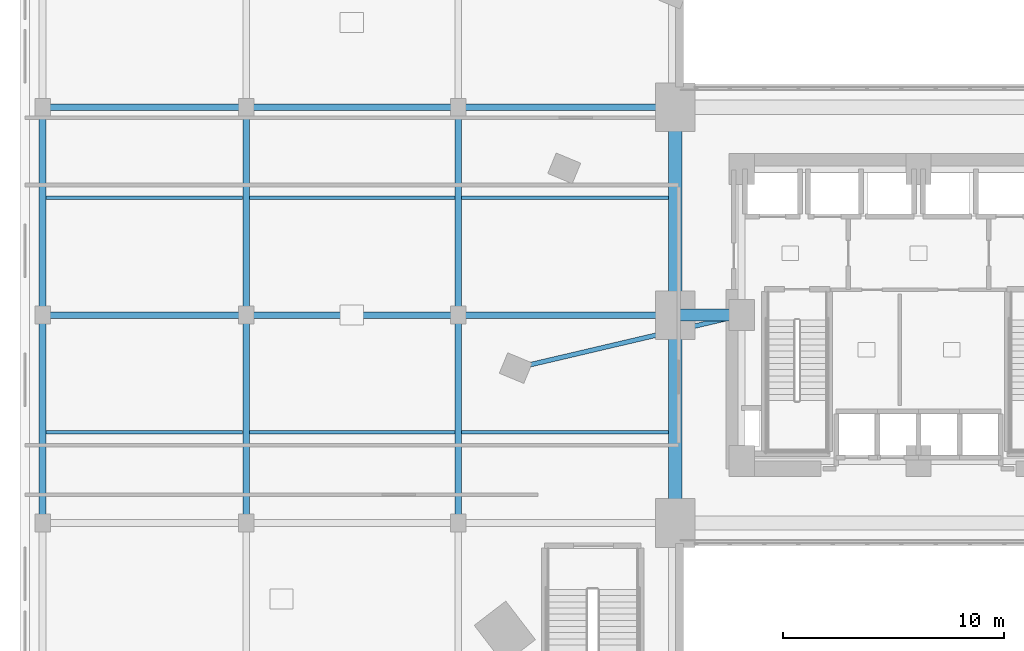
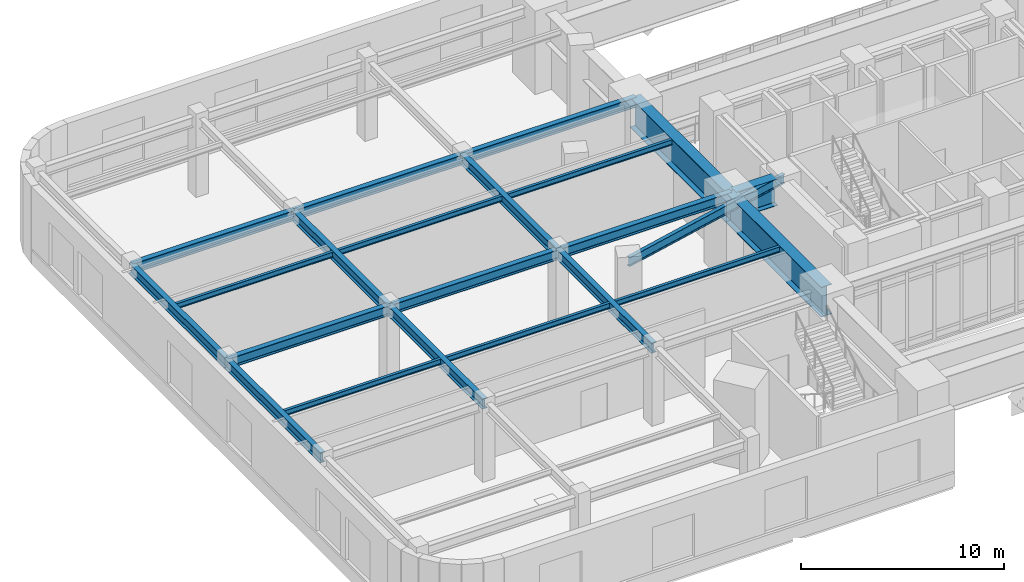
# One storey, part 3 of 25: 22 beams.
"""IFC4 building model written with IfcOpenShell, lengths in metres."""

from ifc_helpers import new_model, si_unit, direction, frame, origin, origin_2d, place, context, subcontext, project, spatial, i_section, extrude, material, material_profile, profile_set, type_object, element, save


model = new_model("IFC4")

# Units and contexts
model_context = context("Model", 3, precision=1e-05, world=origin(), true_north=direction((0.0, 1.0)))
body_context = subcontext(model_context, "Body", "Model", "MODEL_VIEW")
ifc_project = project(units=[si_unit("LENGTHUNIT", "METRE"), si_unit("AREAUNIT", "SQUARE_METRE"), si_unit("VOLUMEUNIT", "CUBIC_METRE"), si_unit("PLANEANGLEUNIT", "RADIAN"), si_unit("MASSUNIT", "GRAM", prefix="KILO")], contexts=[model_context])

# Site, building, storey
site_placement = place(None, origin())
site = spatial("IfcSite", under=ifc_project, at=site_placement, CompositionType="ELEMENT")
building_placement = place(site_placement, origin())
building = spatial("IfcBuilding", under=site, at=building_placement, Name="Ndelora Gate Hotel", CompositionType="ELEMENT")
storey_placement = place(building_placement, frame((0.0, 0.0, 11.0)))
storey = spatial("IfcBuildingStorey", under=building, at=storey_placement, Name="L02", CompositionType="ELEMENT", Elevation=11.0)

# Beams
ifc_material_1 = material(Name="Steel S355", Category="steel")
ifc_material_profile_1 = material_profile(ifc_material_1, i_section(OverallWidth=0.159912109375, OverallDepth=0.330078125, WebThickness=0.007568359375, FlangeThickness=0.011474609375, FilletRadius=0.01806640625, at=origin_2d()), Name="IPE 330")
ifc_profile_set_1 = profile_set([ifc_material_profile_1], Name="Steel S355")
beam_type_1 = type_object("IfcBeamType", Name="BM-JST-330", PredefinedType="JOIST", material=ifc_profile_set_1)
beam_1_placement = place(storey_placement, frame((-39.449951171875, -5.300048828125, 4.4951171875), z_axis=(1.0, 0.0, 0.0), x_axis=(0.0, 1.0, 0.0)))
element("IfcBeam", 1, at=beam_1_placement, inside=storey, type_object=beam_type_1, Name="L02 Podium Composite Secondary Joist 1", PredefinedType="JOIST", context=body_context, shape_type="SweptSolid", body=[
    extrude(i_section(OverallWidth=0.159912109375, OverallDepth=0.330078125, WebThickness=0.007568359375, FlangeThickness=0.011474609375, FilletRadius=0.01806640625, at=origin_2d()), origin(), (0.0, 0.0, 1.0), 8.89990234375),
])
beam_2_placement = place(storey_placement, frame((-30.25, -5.300048828125, 4.4951171875), z_axis=(1.0, 0.0, 0.0), x_axis=(0.0, 1.0, 0.0)))
element("IfcBeam", 2, at=beam_2_placement, inside=storey, type_object=beam_type_1, Name="L02 Podium Composite Secondary Joist 2", PredefinedType="JOIST", context=body_context, shape_type="SweptSolid", body=[
    extrude(i_section(OverallWidth=0.159912109375, OverallDepth=0.330078125, WebThickness=0.007568359375, FlangeThickness=0.011474609375, FilletRadius=0.01806640625, at=origin_2d()), origin(), (0.0, 0.0, 1.0), 9.300048828125),
])
beam_3_placement = place(storey_placement, frame((-20.64990234375, -5.300048828125, 4.4951171875), z_axis=(1.0, 0.0, 0.0), x_axis=(0.0, 1.0, 0.0)))
element("IfcBeam", 3, at=beam_3_placement, inside=storey, type_object=beam_type_1, Name="L02 Podium Composite Secondary Joist 3", PredefinedType="JOIST", context=body_context, shape_type="SweptSolid", body=[
    extrude(i_section(OverallWidth=0.159912109375, OverallDepth=0.330078125, WebThickness=0.007568359375, FlangeThickness=0.011474609375, FilletRadius=0.01806640625, at=origin_2d()), origin(), (0.0, 0.0, 1.0), 9.349853515625),
])
beam_4_placement = place(storey_placement, frame((-39.449951171875, 5.300048828125, 4.4951171875), z_axis=(1.0, 0.0, 0.0), x_axis=(0.0, 1.0, 0.0)))
element("IfcBeam", 4, at=beam_4_placement, inside=storey, type_object=beam_type_1, Name="L02 Podium Composite Secondary Joist 1", PredefinedType="JOIST", context=body_context, shape_type="SweptSolid", body=[
    extrude(i_section(OverallWidth=0.159912109375, OverallDepth=0.330078125, WebThickness=0.007568359375, FlangeThickness=0.011474609375, FilletRadius=0.01806640625, at=origin_2d()), origin(), (0.0, 0.0, 1.0), 8.89990234375),
])
beam_5_placement = place(storey_placement, frame((-30.25, 5.300048828125, 4.4951171875), z_axis=(1.0, 0.0, 0.0), x_axis=(0.0, 1.0, 0.0)))
element("IfcBeam", 5, at=beam_5_placement, inside=storey, type_object=beam_type_1, Name="L02 Podium Composite Secondary Joist 2", PredefinedType="JOIST", context=body_context, shape_type="SweptSolid", body=[
    extrude(i_section(OverallWidth=0.159912109375, OverallDepth=0.330078125, WebThickness=0.007568359375, FlangeThickness=0.011474609375, FilletRadius=0.01806640625, at=origin_2d()), origin(), (0.0, 0.0, 1.0), 9.300048828125),
])
beam_6_placement = place(storey_placement, frame((-20.64990234375, 5.300048828125, 4.4951171875), z_axis=(1.0, 0.0, 0.0), x_axis=(0.0, 1.0, 0.0)))
element("IfcBeam", 6, at=beam_6_placement, inside=storey, type_object=beam_type_1, Name="L02 Podium Composite Secondary Joist 3", PredefinedType="JOIST", context=body_context, shape_type="SweptSolid", body=[
    extrude(i_section(OverallWidth=0.159912109375, OverallDepth=0.330078125, WebThickness=0.007568359375, FlangeThickness=0.011474609375, FilletRadius=0.01806640625, at=origin_2d()), origin(), (0.0, 0.0, 1.0), 9.349853515625),
])
ifc_material_profile_2 = material_profile(ifc_material_1, i_section(OverallWidth=0.300048828125, OverallDepth=0.60009765625, WebThickness=0.015380859375, FlangeThickness=0.030029296875, FilletRadius=0.027099609375, at=origin_2d()), Name="HEB 600")
ifc_profile_set_2 = profile_set([ifc_material_profile_2], Name="Steel S355")
beam_type_2 = type_object("IfcBeamType", Name="BM-POD-600", PredefinedType="BEAM", material=ifc_profile_set_2)
for number, where, z_axis, x_axis, name in (
    (7, (-39.60009765625, -9.39990234375, 4.360107421875), (0.0, 1.0, 0.0), (-1.0, 0.0, 0.0), "L02 Podium Longitudinal Girder X=-39.6"),
    (8, (-39.60009765625, 0.0, 4.360107421875), (0.0, 1.0, 0.0), (-1.0, 0.0, 0.0), "L02 Podium Longitudinal Girder X=-39.6"),
    (9, (-30.39990234375, -9.39990234375, 4.360107421875), (0.0, 1.0, 0.0), (-1.0, 0.0, 0.0), "L02 Podium Longitudinal Girder X=-30.4"),
    (10, (-30.39990234375, 0.0, 4.360107421875), (0.0, 1.0, 0.0), (-1.0, 0.0, 0.0), "L02 Podium Longitudinal Girder X=-30.4"),
    (11, (-20.800048828125, -9.39990234375, 4.360107421875), (0.0, 1.0, 0.0), (-1.0, 0.0, 0.0), "L02 Podium Longitudinal Girder X=-20.8"),
    (12, (-20.800048828125, 0.0, 4.360107421875), (0.0, 1.0, 0.0), (-1.0, 0.0, 0.0), "L02 Podium Longitudinal Girder X=-20.8"),
):
    element("IfcBeam", number, at=place(storey_placement, frame(where, z_axis=z_axis, x_axis=x_axis)), inside=storey, type_object=beam_type_2, Name=name, PredefinedType="BEAM", context=body_context, shape_type="SweptSolid", body=[
        extrude(i_section(OverallWidth=0.300048828125, OverallDepth=0.60009765625, WebThickness=0.015380859375, FlangeThickness=0.030029296875, FilletRadius=0.027099609375, at=origin_2d()), origin(), (0.0, 0.0, 1.0), 9.39990234375),
    ])
beam_7_placement = place(storey_placement, frame((-39.60009765625, 0.0, 4.360107421875), z_axis=(1.0, 0.0, 0.0), x_axis=(0.0, 1.0, 0.0)))
element("IfcBeam", 13, at=beam_7_placement, inside=storey, type_object=beam_type_2, Name="L02 Podium Transverse Girder Y=+0.0", PredefinedType="BEAM", context=body_context, shape_type="SweptSolid", body=[
    extrude(i_section(OverallWidth=0.300048828125, OverallDepth=0.60009765625, WebThickness=0.015380859375, FlangeThickness=0.030029296875, FilletRadius=0.027099609375, at=origin_2d()), origin(), (0.0, 0.0, 1.0), 9.2001953125),
])
beam_8_placement = place(storey_placement, frame((-30.39990234375, 0.0, 4.360107421875), z_axis=(1.0, 0.0, 0.0), x_axis=(0.0, 1.0, 0.0)))
element("IfcBeam", 14, at=beam_8_placement, inside=storey, type_object=beam_type_2, Name="L02 Podium Transverse Girder Y=+0.0", PredefinedType="BEAM", context=body_context, shape_type="SweptSolid", body=[
    extrude(i_section(OverallWidth=0.300048828125, OverallDepth=0.60009765625, WebThickness=0.015380859375, FlangeThickness=0.030029296875, FilletRadius=0.027099609375, at=origin_2d()), origin(), (0.0, 0.0, 1.0), 9.599853515625),
])
beam_9_placement = place(storey_placement, frame((-20.800048828125, 0.0, 4.360107421875), z_axis=(1.0, 0.0, 0.0), x_axis=(0.0, 1.0, 0.0)))
element("IfcBeam", 15, at=beam_9_placement, inside=storey, type_object=beam_type_2, Name="L02 Podium Transverse Girder Y=+0.0", PredefinedType="BEAM", context=body_context, shape_type="SweptSolid", body=[
    extrude(i_section(OverallWidth=0.300048828125, OverallDepth=0.60009765625, WebThickness=0.015380859375, FlangeThickness=0.030029296875, FilletRadius=0.027099609375, at=origin_2d()), origin(), (0.0, 0.0, 1.0), 9.800048828125),
])
beam_10_placement = place(storey_placement, frame((-39.60009765625, 9.39990234375, 4.360107421875), z_axis=(1.0, 0.0, 0.0), x_axis=(0.0, 1.0, 0.0)))
element("IfcBeam", 16, at=beam_10_placement, inside=storey, type_object=beam_type_2, Name="L02 Podium Transverse Girder Y=+9.4", PredefinedType="BEAM", context=body_context, shape_type="SweptSolid", body=[
    extrude(i_section(OverallWidth=0.300048828125, OverallDepth=0.60009765625, WebThickness=0.015380859375, FlangeThickness=0.030029296875, FilletRadius=0.027099609375, at=origin_2d()), origin(), (0.0, 0.0, 1.0), 9.2001953125),
])
beam_11_placement = place(storey_placement, frame((-30.39990234375, 9.39990234375, 4.360107421875), z_axis=(1.0, 0.0, 0.0), x_axis=(0.0, 1.0, 0.0)))
element("IfcBeam", 17, at=beam_11_placement, inside=storey, type_object=beam_type_2, Name="L02 Podium Transverse Girder Y=+9.4", PredefinedType="BEAM", context=body_context, shape_type="SweptSolid", body=[
    extrude(i_section(OverallWidth=0.300048828125, OverallDepth=0.60009765625, WebThickness=0.015380859375, FlangeThickness=0.030029296875, FilletRadius=0.027099609375, at=origin_2d()), origin(), (0.0, 0.0, 1.0), 9.599853515625),
])
beam_12_placement = place(storey_placement, frame((-20.800048828125, 9.39990234375, 4.360107421875), z_axis=(1.0, 0.0, 0.0), x_axis=(0.0, 1.0, 0.0)))
element("IfcBeam", 18, at=beam_12_placement, inside=storey, type_object=beam_type_2, Name="L02 Podium Transverse Girder Y=+9.4", PredefinedType="BEAM", context=body_context, shape_type="SweptSolid", body=[
    extrude(i_section(OverallWidth=0.300048828125, OverallDepth=0.60009765625, WebThickness=0.015380859375, FlangeThickness=0.030029296875, FilletRadius=0.027099609375, at=origin_2d()), origin(), (0.0, 0.0, 1.0), 9.800048828125),
])
ifc_material_profile_3 = material_profile(ifc_material_1, i_section(OverallWidth=0.2099609375, OverallDepth=0.550048828125, WebThickness=0.010986328125, FlangeThickness=0.01708984375, FilletRadius=0.02392578125, at=origin_2d()), Name="IPE 550")
ifc_profile_set_3 = profile_set([ifc_material_profile_3], Name="Steel S355")
beam_type_3 = type_object("IfcBeamType", Name="BM-RAD-550", PredefinedType="BEAM", material=ifc_profile_set_3)
beam_13_placement = place(storey_placement, frame((-8.0, 0.0, 4.385009765625), z_axis=(-0.973517848051, -0.22861102232, 0.0), x_axis=(0.22861102232, -0.973517848051, 0.0)))
element("IfcBeam", 19, at=beam_13_placement, inside=storey, type_object=beam_type_3, Name="L02 Tower Root Radial Tie Beam 4", PredefinedType="BEAM", context=body_context, shape_type="SweptSolid", body=[
    extrude(i_section(OverallWidth=0.2099609375, OverallDepth=0.550048828125, WebThickness=0.010986328125, FlangeThickness=0.01708984375, FilletRadius=0.02392578125, at=origin_2d()), origin(), (0.0, 0.0, 1.0), 10.48486328125),
])
ifc_material_2 = material(Name="Steel S460", Category="steel")
ifc_material_profile_4 = material_profile(ifc_material_2, i_section(OverallWidth=0.550048828125, OverallDepth=1.60009765625, WebThickness=0.02587890625, FlangeThickness=0.0380859375, FilletRadius=0.02392578125, at=origin_2d()), Name="PG 1600x550x38")
ifc_profile_set_4 = profile_set([ifc_material_profile_4], Name="Steel S460")
beam_type_4 = type_object("IfcBeamType", Name="BM-TR-1600", PredefinedType="BEAM", material=ifc_profile_set_4)
beam_14_placement = place(storey_placement, frame((-10.85009765625, 0.0, 3.860107421875), z_axis=(1.0, 0.0, 0.0), x_axis=(0.0, 1.0, 0.0)))
element("IfcBeam", 20, at=beam_14_placement, inside=storey, type_object=beam_type_4, Name="L02 structural beam TG-2", PredefinedType="BEAM", context=body_context, shape_type="SweptSolid", body=[
    extrude(i_section(OverallWidth=0.550048828125, OverallDepth=1.60009765625, WebThickness=0.02587890625, FlangeThickness=0.0380859375, FilletRadius=0.02392578125, at=origin_2d()), origin(), (0.0, 0.0, 1.0), 2.35009765625),
])
ifc_material_profile_5 = material_profile(ifc_material_2, i_section(OverallWidth=0.60009765625, OverallDepth=1.800048828125, WebThickness=0.028076171875, FlangeThickness=0.0400390625, FilletRadius=0.02392578125, at=origin_2d()), Name="PG 1800x600x40")
ifc_profile_set_5 = profile_set([ifc_material_profile_5], Name="Steel S460")
beam_type_5 = type_object("IfcBeamType", Name="BM-TR-1800", PredefinedType="BEAM", material=ifc_profile_set_5)
for number, where, z_axis, x_axis, name in (
    (21, (-11.0, -9.39990234375, 3.760009765625), (0.0, 1.0, 0.0), (-1.0, 0.0, 0.0), "L02 Podium Longitudinal Girder X=-11.0"),
    (22, (-11.0, 0.0, 3.760009765625), (0.0, 1.0, 0.0), (-1.0, 0.0, 0.0), "L02 Podium Longitudinal Girder X=-11.0"),
):
    element("IfcBeam", number, at=place(storey_placement, frame(where, z_axis=z_axis, x_axis=x_axis)), inside=storey, type_object=beam_type_5, Name=name, PredefinedType="BEAM", context=body_context, shape_type="SweptSolid", body=[
        extrude(i_section(OverallWidth=0.60009765625, OverallDepth=1.800048828125, WebThickness=0.028076171875, FlangeThickness=0.0400390625, FilletRadius=0.02392578125, at=origin_2d()), origin(), (0.0, 0.0, 1.0), 9.39990234375),
    ])

save(model, "model.ifc")
